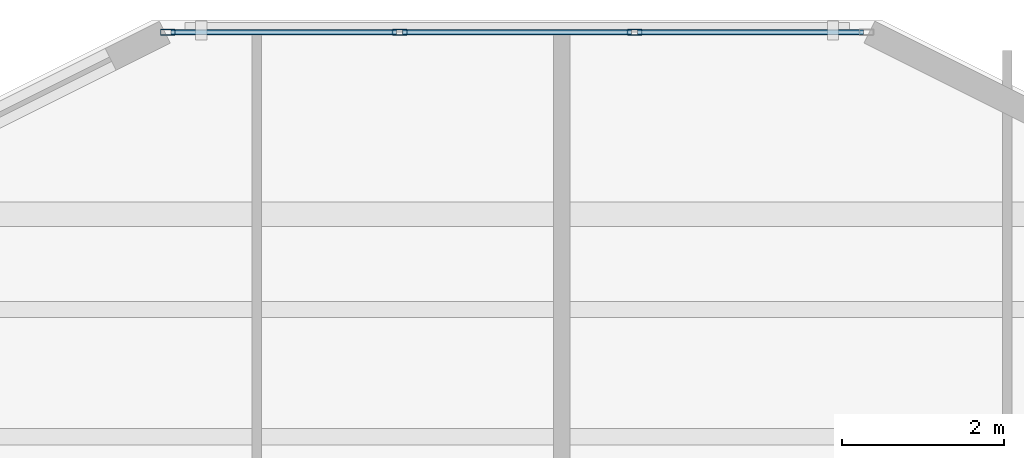
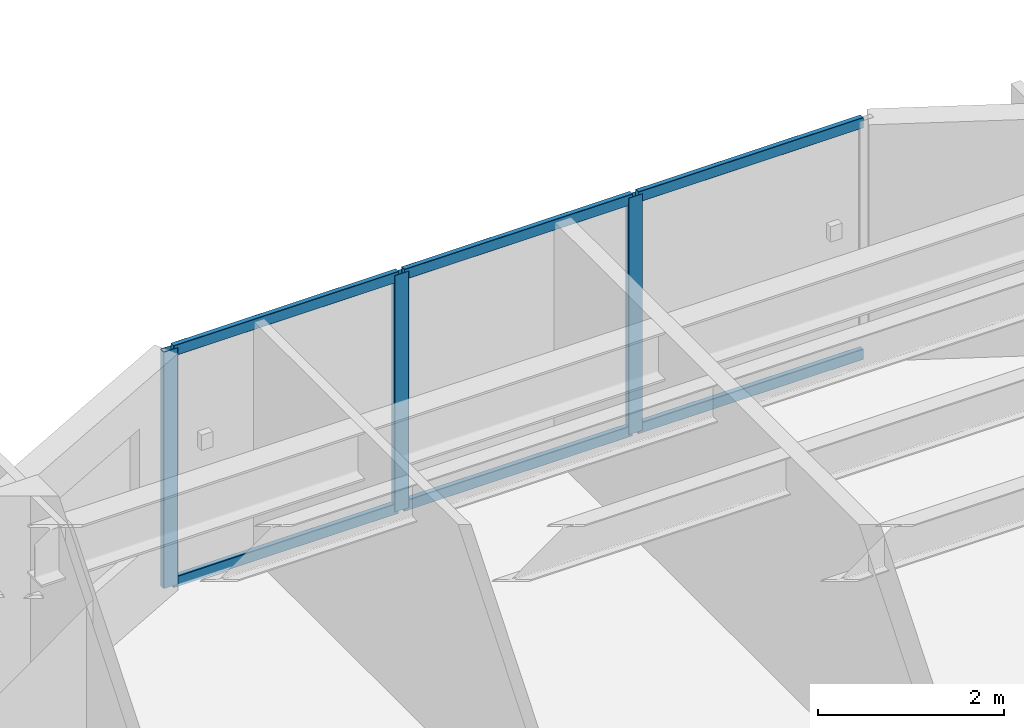
# One storey, part 6 of 21: 9 members, 1 element without a shape of its own.
"""IFC4 building model written with IfcOpenShell, lengths in metres."""

from ifc_helpers import new_model, si_unit, direction, frame, origin, origin_2d, place, context, subcontext, project, spatial, hollow_rectangle, extrude, material, layer, layer_set, material_profile, profile_set, type_object, element, aggregate, save


model = new_model("IFC4")

# Units and contexts
model_context = context("Model", 3, precision=1e-05, world=origin(), true_north=direction((0.0, 1.0)))
body_context = subcontext(model_context, "Body", "Model", "MODEL_VIEW")
ifc_project = project(units=[si_unit("LENGTHUNIT", "METRE"), si_unit("AREAUNIT", "SQUARE_METRE"), si_unit("VOLUMEUNIT", "CUBIC_METRE"), si_unit("PLANEANGLEUNIT", "RADIAN"), si_unit("MASSUNIT", "GRAM", prefix="KILO")], contexts=[model_context])

# Site, building, storey
site_placement = place(None, origin())
site = spatial("IfcSite", under=ifc_project, at=site_placement, CompositionType="ELEMENT")
building_placement = place(site_placement, origin())
building = spatial("IfcBuilding", under=site, at=building_placement, Name="Tarnavaz Court Tower", CompositionType="ELEMENT")
storey_placement = place(building_placement, frame((0.0, 0.0, 24.0)))
storey = spatial("IfcBuildingStorey", under=building, at=storey_placement, Name="L05", CompositionType="ELEMENT", Elevation=24.0)

# Curtain wall, members
ifc_material_1 = material(Name="Anodised Aluminium 6063-T6 and Solar Low-E Glazing", Category="aluminium")
ifc_layer = layer(ifc_material_1, 0.179931640625)
ifc_layer_set = layer_set([ifc_layer], Name="Anodised Aluminium 6063-T6 and Solar Low-E Glazing")
curtain_wall_type = type_object("IfcCurtainWallType", Name="CW-SYS-02", PredefinedType="NOTDEFINED", material=ifc_layer_set)
curtain_wall_placement = place(storey_placement, origin())
curtain_wall = element("IfcCurtainWall", 1, at=curtain_wall_placement, inside=storey, type_object=curtain_wall_type, Name="L05 Iwan Prow Curtain Wall 7", PredefinedType="NOTDEFINED")
ifc_material_2 = material(Name="Anodised Aluminium 6063-T6", Category="aluminium")
ifc_material_profile_1 = material_profile(ifc_material_2, hollow_rectangle(XDim=0.074951171875, YDim=0.179931640625, WallThickness=0.0048828125, InnerFilletRadius=0.0048828125, OuterFilletRadius=0.010009765625, at=origin_2d()), Name="ALU RHS 180X75X5")
ifc_profile_set_1 = profile_set([ifc_material_profile_1], Name="Anodised Aluminium 6063-T6")
member_type_1 = type_object("IfcMemberType", Name="CW-MUL-180", PredefinedType="MULLION", material=ifc_profile_set_1)
member_1_placement = place(storey_placement, frame((-4.3125, 25.050048828125, 0.0), z_axis=(0.0, 0.0, 1.0), x_axis=(0.0, 1.0, 0.0)))
member_1 = element("IfcMember", 2, at=member_1_placement, type_object=member_type_1, Name="CW mullion 1", PredefinedType="MULLION", context=body_context, shape_type="SweptSolid", body=[
    extrude(hollow_rectangle(XDim=0.074951171875, YDim=0.179931640625, WallThickness=0.0048828125, InnerFilletRadius=0.0048828125, OuterFilletRadius=0.010009765625, at=origin_2d()), origin(), (0.0, 0.0, 1.0), 3.10009765625),
])
member_2_placement = place(storey_placement, frame((-1.449951171875, 25.050048828125, 0.0), z_axis=(0.0, 0.0, 1.0), x_axis=(0.0, 1.0, 0.0)))
member_2 = element("IfcMember", 3, at=member_2_placement, type_object=member_type_1, Name="CW mullion 2", PredefinedType="MULLION", context=body_context, shape_type="SweptSolid", body=[
    extrude(hollow_rectangle(XDim=0.074951171875, YDim=0.179931640625, WallThickness=0.0048828125, InnerFilletRadius=0.0048828125, OuterFilletRadius=0.010009765625, at=origin_2d()), origin(), (0.0, 0.0, 1.0), 3.10009765625),
])
member_3_placement = place(storey_placement, frame((1.449951171875, 25.050048828125, 0.0), z_axis=(0.0, 0.0, 1.0), x_axis=(0.0, 1.0, 0.0)))
member_3 = element("IfcMember", 4, at=member_3_placement, type_object=member_type_1, Name="CW mullion 3", PredefinedType="MULLION", context=body_context, shape_type="SweptSolid", body=[
    extrude(hollow_rectangle(XDim=0.074951171875, YDim=0.179931640625, WallThickness=0.0048828125, InnerFilletRadius=0.0048828125, OuterFilletRadius=0.010009765625, at=origin_2d()), origin(), (0.0, 0.0, 1.0), 3.10009765625),
])
ifc_material_profile_2 = material_profile(ifc_material_2, hollow_rectangle(XDim=0.06494140625, YDim=0.139892578125, WallThickness=0.00390625, InnerFilletRadius=0.00390625, OuterFilletRadius=0.008056640625, at=origin_2d()), Name="ALU RHS 140X65X4")
ifc_profile_set_2 = profile_set([ifc_material_profile_2], Name="Anodised Aluminium 6063-T6")
member_type_2 = type_object("IfcMemberType", Name="CW-TRN-140", PredefinedType="USERDEFINED", material=ifc_profile_set_2)
member_4_placement = place(storey_placement, frame((-4.27490234375, 25.050048828125, 0.032470703125), z_axis=(1.0, 0.0, 0.0), x_axis=(0.0, 1.0, 0.0)))
member_4 = element("IfcMember", 5, at=member_4_placement, type_object=member_type_2, Name="CW transom 1.1", ObjectType="TRANSOM", PredefinedType="USERDEFINED", context=body_context, shape_type="SweptSolid", body=[
    extrude(hollow_rectangle(XDim=0.06494140625, YDim=0.139892578125, WallThickness=0.00390625, InnerFilletRadius=0.00390625, OuterFilletRadius=0.008056640625, at=origin_2d()), origin(), (0.0, 0.0, 1.0), 2.787353515625),
])
member_5_placement = place(storey_placement, frame((-4.27490234375, 25.050048828125, 3.0673828125), z_axis=(1.0, 0.0, 0.0), x_axis=(0.0, 1.0, 0.0)))
member_5 = element("IfcMember", 6, at=member_5_placement, type_object=member_type_2, Name="CW transom 1.2", ObjectType="TRANSOM", PredefinedType="USERDEFINED", context=body_context, shape_type="SweptSolid", body=[
    extrude(hollow_rectangle(XDim=0.06494140625, YDim=0.139892578125, WallThickness=0.00390625, InnerFilletRadius=0.00390625, OuterFilletRadius=0.008056640625, at=origin_2d()), origin(), (0.0, 0.0, 1.0), 2.787353515625),
])
member_6_placement = place(storey_placement, frame((-1.41259765625, 25.050048828125, 0.032470703125), z_axis=(1.0, 0.0, 0.0), x_axis=(0.0, 1.0, 0.0)))
member_6 = element("IfcMember", 7, at=member_6_placement, type_object=member_type_2, Name="CW transom 2.1", ObjectType="TRANSOM", PredefinedType="USERDEFINED", context=body_context, shape_type="SweptSolid", body=[
    extrude(hollow_rectangle(XDim=0.06494140625, YDim=0.139892578125, WallThickness=0.00390625, InnerFilletRadius=0.00390625, OuterFilletRadius=0.008056640625, at=origin_2d()), origin(), (0.0, 0.0, 1.0), 2.8251953125),
])
member_7_placement = place(storey_placement, frame((-1.41259765625, 25.050048828125, 3.0673828125), z_axis=(1.0, 0.0, 0.0), x_axis=(0.0, 1.0, 0.0)))
member_7 = element("IfcMember", 8, at=member_7_placement, type_object=member_type_2, Name="CW transom 2.2", ObjectType="TRANSOM", PredefinedType="USERDEFINED", context=body_context, shape_type="SweptSolid", body=[
    extrude(hollow_rectangle(XDim=0.06494140625, YDim=0.139892578125, WallThickness=0.00390625, InnerFilletRadius=0.00390625, OuterFilletRadius=0.008056640625, at=origin_2d()), origin(), (0.0, 0.0, 1.0), 2.8251953125),
])
member_8_placement = place(storey_placement, frame((1.487548828125, 25.050048828125, 0.032470703125), z_axis=(1.0, 0.0, 0.0), x_axis=(0.0, 1.0, 0.0)))
member_8 = element("IfcMember", 9, at=member_8_placement, type_object=member_type_2, Name="CW transom 3.1", ObjectType="TRANSOM", PredefinedType="USERDEFINED", context=body_context, shape_type="SweptSolid", body=[
    extrude(hollow_rectangle(XDim=0.06494140625, YDim=0.139892578125, WallThickness=0.00390625, InnerFilletRadius=0.00390625, OuterFilletRadius=0.008056640625, at=origin_2d()), origin(), (0.0, 0.0, 1.0), 2.787353515625),
])
member_9_placement = place(storey_placement, frame((1.487548828125, 25.050048828125, 3.0673828125), z_axis=(1.0, 0.0, 0.0), x_axis=(0.0, 1.0, 0.0)))
member_9 = element("IfcMember", 10, at=member_9_placement, type_object=member_type_2, Name="CW transom 3.2", ObjectType="TRANSOM", PredefinedType="USERDEFINED", context=body_context, shape_type="SweptSolid", body=[
    extrude(hollow_rectangle(XDim=0.06494140625, YDim=0.139892578125, WallThickness=0.00390625, InnerFilletRadius=0.00390625, OuterFilletRadius=0.008056640625, at=origin_2d()), origin(), (0.0, 0.0, 1.0), 2.787353515625),
])
aggregate(curtain_wall, [member_1, member_2, member_3, member_4, member_5, member_6, member_7, member_8, member_9])

save(model, "model.ifc")
